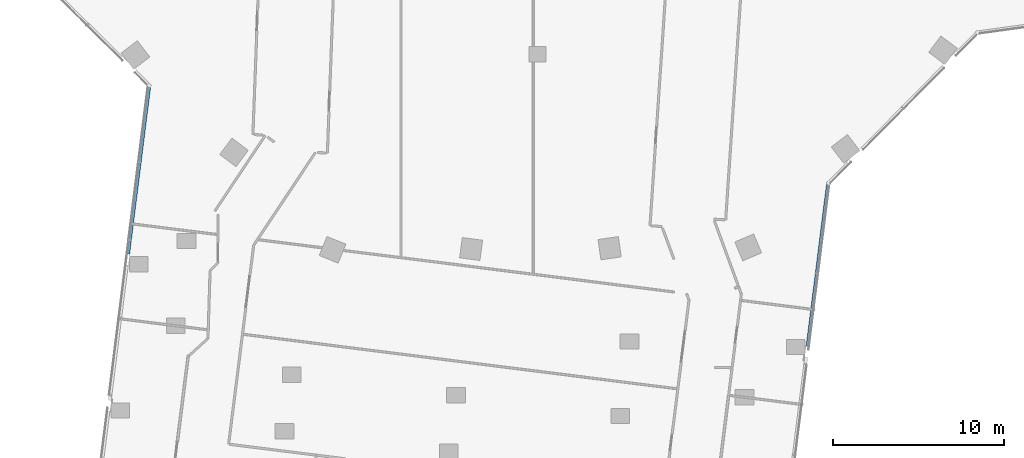
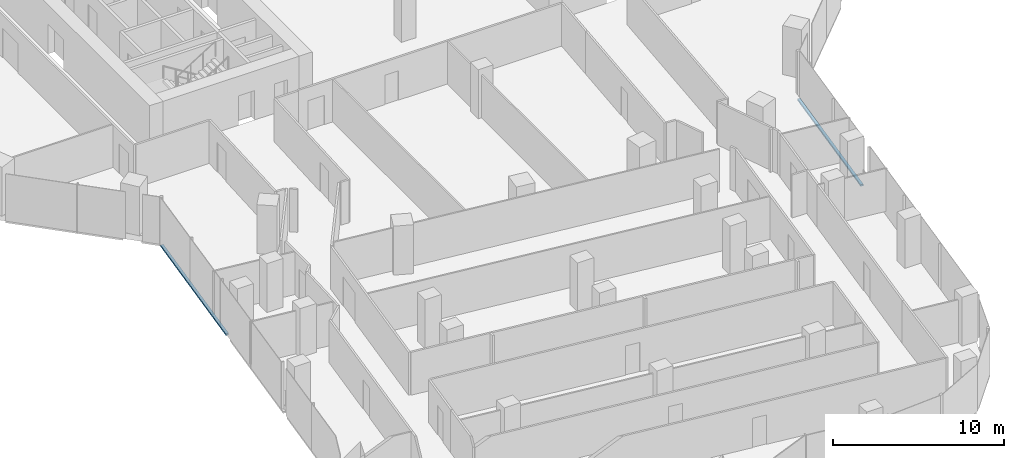
# One storey, part 5 of 27: 2 members, 2 elements without a shape of their own.
"""IFC4 building model written with IfcOpenShell, lengths in metres."""

from ifc_helpers import new_model, si_unit, direction, frame, origin, origin_2d, place, context, subcontext, project, spatial, rectangle, extrude, material, material_profile, profile_set, type_object, element, aggregate, save


model = new_model("IFC4")

# Units and contexts
model_context = context("Model", 3, precision=1e-05, world=origin(), true_north=direction((0.0, 1.0)))
body_context = subcontext(model_context, "Body", "Model", "MODEL_VIEW")
ifc_project = project(units=[si_unit("LENGTHUNIT", "METRE"), si_unit("AREAUNIT", "SQUARE_METRE"), si_unit("VOLUMEUNIT", "CUBIC_METRE"), si_unit("PLANEANGLEUNIT", "RADIAN"), si_unit("MASSUNIT", "GRAM", prefix="KILO")], contexts=[model_context])

# Site, building, storey
site_placement = place(None, origin())
site = spatial("IfcSite", under=ifc_project, at=site_placement, CompositionType="ELEMENT")
building_placement = place(site_placement, origin())
building = spatial("IfcBuilding", under=site, at=building_placement, Name="Orlundy Tower", CompositionType="ELEMENT")
storey_placement = place(building_placement, frame((0.0, 0.0, 195.60009765625)))
storey = spatial("IfcBuildingStorey", under=building, at=storey_placement, Name="L51", CompositionType="ELEMENT", Elevation=195.60009765625)

# Curtain wall, member
ifc_material_1 = material(Name="Aluminium bronze anodised", Category="aluminium")
curtain_wall_type = type_object("IfcCurtainWallType", Name="CW1 wall", PredefinedType="NOTDEFINED", material=ifc_material_1)
curtain_wall_1_placement = place(storey_placement, origin())
curtain_wall_1 = element("IfcCurtainWall", 1, at=curtain_wall_1_placement, inside=storey, type_object=curtain_wall_type, Name="CW1 run 00", PredefinedType="NOTDEFINED")
ifc_material_2 = material(Name="Aluminium bronze anodised", Category="aluminium")
ifc_material_profile = material_profile(ifc_material_2, rectangle(XDim=0.179931640625, YDim=0.1201171875, at=origin_2d()), Name="CW1 transom 180x120")
ifc_profile_set = profile_set([ifc_material_profile], Name="Aluminium bronze anodised")
member_type = type_object("IfcMemberType", Name="CW1 transom 180x120", PredefinedType="USERDEFINED", material=ifc_profile_set)
member_1_placement = place(storey_placement, frame((-23.98583984375, -29.721923828125, -0.360107421875), z_axis=(0.124763301609, 0.992186534162, 0.0), x_axis=(-0.992186534162, 0.124763301609, 0.0)))
member_1 = element("IfcMember", 2, at=member_1_placement, type_object=member_type, Name="CW1 transom", ObjectType="TRANSOM", PredefinedType="USERDEFINED", context=body_context, shape_type="SweptSolid", body=[
    extrude(rectangle(XDim=0.179931640625, YDim=0.1201171875, at=origin_2d()), origin(), (0.0, 0.0, 1.0), 9.8564453125),
])
aggregate(curtain_wall_1, [member_1])

curtain_wall_2_placement = place(storey_placement, origin())
curtain_wall_2 = element("IfcCurtainWall", 3, at=curtain_wall_2_placement, inside=storey, type_object=curtain_wall_type, Name="CW1 run 018", PredefinedType="NOTDEFINED")
member_2_placement = place(storey_placement, frame((17.021240234375, -25.660888671875, -0.360107421875), z_axis=(-0.124736970208, -0.99218984487, 0.0), x_axis=(0.99218984487, -0.124736970208, 0.0)))
member_2 = element("IfcMember", 4, at=member_2_placement, type_object=member_type, Name="CW1 transom", ObjectType="TRANSOM", PredefinedType="USERDEFINED", context=body_context, shape_type="SweptSolid", body=[
    extrude(rectangle(XDim=0.179931640625, YDim=0.1201171875, at=origin_2d()), origin(), (0.0, 0.0, 1.0), 9.54150390625),
])
aggregate(curtain_wall_2, [member_2])

save(model, "model.ifc")
